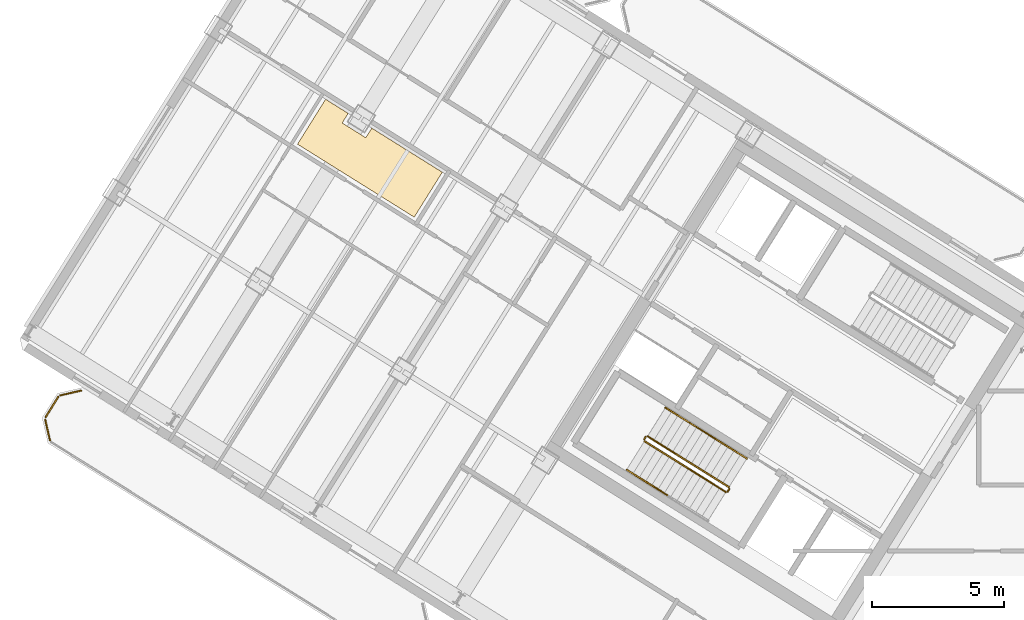
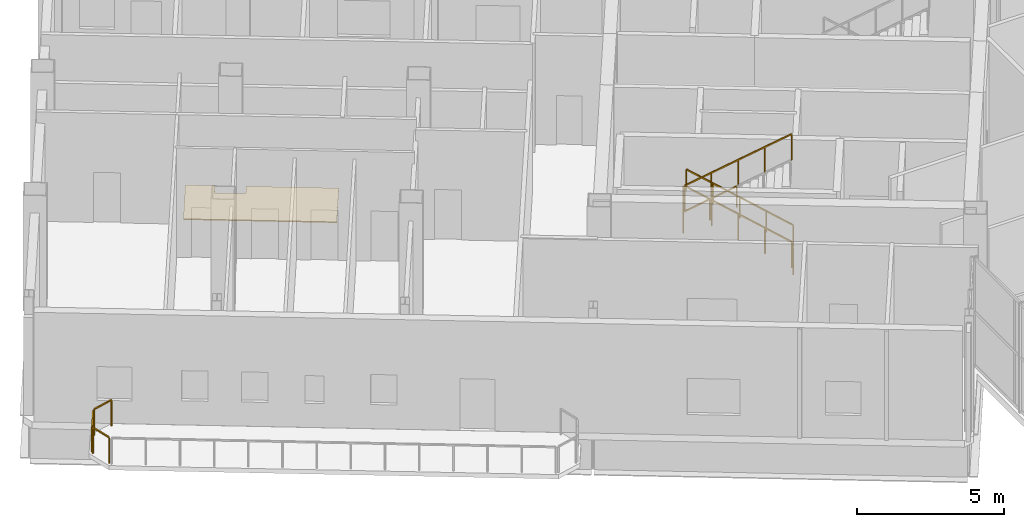
# One storey, part 23 of 26: 10 railings, 1 covering.
"""IFC4 building model written with IfcOpenShell, lengths in metres."""

from ifc_helpers import new_model, si_unit, direction, frame, origin, origin_2d, place, context, subcontext, project, spatial, polyline, rectangle, outline, extrude, source, transform, mapped, material, layer, layer_set, type_object, element, save


model = new_model("IFC4")

# Units and contexts
model_context = context("Model", 3, precision=1e-05, world=origin(), true_north=direction((0.0, 1.0)))
body_context = subcontext(model_context, "Body", "Model", "MODEL_VIEW")
ifc_project = project(units=[si_unit("LENGTHUNIT", "METRE"), si_unit("AREAUNIT", "SQUARE_METRE"), si_unit("VOLUMEUNIT", "CUBIC_METRE"), si_unit("PLANEANGLEUNIT", "RADIAN"), si_unit("MASSUNIT", "GRAM", prefix="KILO")], contexts=[model_context])

# Site, building, storey
site_placement = place(None, origin())
site = spatial("IfcSite", under=ifc_project, at=site_placement, CompositionType="ELEMENT")
building_placement = place(site_placement, origin())
building = spatial("IfcBuilding", under=site, at=building_placement, Name="Tlacorven Tower", CompositionType="ELEMENT")
storey_placement = place(building_placement, frame((0.0, 0.0, 233.699951171875)))
storey = spatial("IfcBuildingStorey", under=building, at=storey_placement, Name="L59", CompositionType="ELEMENT", Elevation=233.699951171875)

# Covering
ifc_material_1 = material(Name="Terrazzo and ceramic flooring")
ifc_layer = layer(ifc_material_1, 0.0400390625)
ifc_layer_set = layer_set([ifc_layer], Name="Terrazzo and ceramic flooring")
covering_type = type_object("IfcCoveringType", Name="CV-FLR-TERZ", PredefinedType="FLOORING", material=ifc_layer_set)
covering_placement = place(storey_placement, origin())
element("IfcCovering", 1, at=covering_placement, inside=storey, type_object=covering_type, Name="L59 Porcelain Wet-Room Floor Finish 6", PredefinedType="FLOORING", context=body_context, shape_type="SweptSolid", body=[
    extrude(outline(polyline([(17.21142578125, 28.101318359375), (12.780517578125, 30.870361328125), (13.845458984375, 32.574951171875), (14.703857421875, 32.03857421875), (14.47705078125, 31.675537109375), (15.37255859375, 31.115966796875), (15.599365234375, 31.47900390625), (18.276611328125, 29.805908203125), (17.21142578125, 28.101318359375)])), origin(), (0.0, 0.0, 1.0), 0.0400390625),
])

# Railings
ifc_material_2 = material(Name="Aluminium and painted steel balustrade", Category="steel")
railing_type_1 = type_object("IfcRailingType", Name="RL-BAL-1100", PredefinedType="BALUSTRADE", material=ifc_material_2)
shared_shape_1 = source(origin(), body_context, "Body", "SweptSolid", [
    extrude(rectangle(XDim=0.048095703125, YDim=0.048095703125, at=origin_2d()), frame((0.0, 0.0, 1.076171875), z_axis=(-0.225058334816, 0.974345290916, 0.0), x_axis=(-0.974345290916, -0.225058334816, 0.0)), (0.0, 0.0, 1.0), 0.80712890625),
    extrude(rectangle(XDim=0.0419921875, YDim=0.0419921875, at=origin_2d()), origin(), (0.0, 0.0, 1.0), 1.052001953125),
    extrude(rectangle(XDim=0.0419921875, YDim=0.0419921875, at=origin_2d()), frame((-0.181640625, 0.786376953125, 0.0)), (0.0, 0.0, 1.0), 1.052001953125),
])
railing_1_placement = place(storey_placement, frame((3.380859375, 19.62841796875, 0.0)))
element("IfcRailing", 2, at=railing_1_placement, inside=storey, type_object=railing_type_1, Name="BAL-L59-W-OUT Guard Railing 5", PredefinedType="BALUSTRADE", context=body_context, shape_type="MappedRepresentation", body=[
    mapped(shared_shape_1, transform((0.0, 0.0, 0.0), scale=1.0)),
])
shared_shape_2 = source(origin(), body_context, "Body", "SweptSolid", [
    extrude(rectangle(XDim=0.048095703125, YDim=0.048095703125, at=origin_2d()), frame((0.0, 0.0, 1.076171875), z_axis=(0.52987865805, 0.848073468364, 0.0), x_axis=(-0.848073468364, 0.52987865805, 0.0)), (0.0, 0.0, 1.0), 0.912353515625),
    extrude(rectangle(XDim=0.0419921875, YDim=0.0419921875, at=origin_2d()), origin(), (0.0, 0.0, 1.0), 1.052001953125),
    extrude(rectangle(XDim=0.0419921875, YDim=0.0419921875, at=origin_2d()), frame((0.4833984375, 0.773681640625, 0.0)), (0.0, 0.0, 1.0), 1.052001953125),
])
railing_2_placement = place(storey_placement, frame((3.214599609375, 20.505859375, 0.0)))
element("IfcRailing", 3, at=railing_2_placement, inside=storey, type_object=railing_type_1, Name="BAL-L59-W-OUT Guard Railing 6", PredefinedType="BALUSTRADE", context=body_context, shape_type="MappedRepresentation", body=[
    mapped(shared_shape_2, transform((0.0, 0.0, 0.0), scale=1.0)),
])
shared_shape_3 = source(origin(), body_context, "Body", "SweptSolid", [
    extrude(rectangle(XDim=0.048095703125, YDim=0.048095703125, at=origin_2d()), frame((0.0, 0.0, 1.076171875), z_axis=(0.974345290916, 0.225058334816, 0.0), x_axis=(-0.225058334816, 0.974345290916, 0.0)), (0.0, 0.0, 1.0), 0.80712890625),
    extrude(rectangle(XDim=0.0419921875, YDim=0.0419921875, at=origin_2d()), origin(), (0.0, 0.0, 1.0), 1.052001953125),
    extrude(rectangle(XDim=0.0419921875, YDim=0.0419921875, at=origin_2d()), frame((0.786376953125, 0.181640625, 0.0)), (0.0, 0.0, 1.0), 1.052001953125),
])
railing_3_placement = place(storey_placement, frame((3.773193359375, 21.3330078125, 0.0)))
element("IfcRailing", 4, at=railing_3_placement, inside=storey, type_object=railing_type_1, Name="BAL-L59-W-OUT Guard Railing 7", PredefinedType="BALUSTRADE", context=body_context, shape_type="MappedRepresentation", body=[
    mapped(shared_shape_3, transform((0.0, 0.0, 0.0), scale=1.0)),
])
railing_type_2 = type_object("IfcRailingType", Name="RL-GRD-1100", PredefinedType="GUARDRAIL", material=ifc_material_2)
shared_shape_4 = source(origin(), body_context, "Body", "SweptSolid", [
    extrude(rectangle(XDim=0.048095703125, YDim=0.048095703125, at=origin_2d()), frame((0.0, 0.0, 1.076171875), z_axis=(-0.529084052582, -0.848569422795, 0.0), x_axis=(0.848569422795, -0.529084052582, 0.0)), (0.0, 0.0, 1.0), 0.119873046875),
    extrude(rectangle(XDim=0.0419921875, YDim=0.0419921875, at=origin_2d()), origin(), (0.0, 0.0, 1.0), 1.052001953125),
    extrude(rectangle(XDim=0.0419921875, YDim=0.0419921875, at=origin_2d()), frame((-0.0634765625, -0.101806640625, 0.0)), (0.0, 0.0, 1.0), 1.052001953125),
])
for number, where, name in (
    (5, (26.0048828125, 19.764892578125, 2.400146484375), "L59 ST-W1 stair guard 2"),
    (6, (29.176513671875, 17.782958984375, 0.0), "L59 ST-W1 stair guard 4"),
):
    element("IfcRailing", number, at=place(storey_placement, frame(where)), inside=storey, type_object=railing_type_2, Name=name, PredefinedType="GUARDRAIL", context=body_context, shape_type="MappedRepresentation", body=[
        mapped(shared_shape_4, transform((0.0, 0.0, 0.0), scale=1.0)),
    ])
shared_shape_5 = source(origin(), body_context, "Body", "SweptSolid", [
    extrude(rectangle(XDim=0.048095703125, YDim=0.048095703125, at=origin_2d()), frame((0.0, 0.0, 1.076171875), z_axis=(0.723262235119, -0.451953093932, 0.522139962209), x_axis=(0.529926592015, 0.848043517206, 0.0)), (0.0, 0.0, 1.0), 4.26806640625),
    extrude(rectangle(XDim=0.0419921875, YDim=0.0419921875, at=origin_2d()), origin(), (0.0, 0.0, 1.0), 1.052001953125),
    extrude(rectangle(XDim=0.0419921875, YDim=0.0419921875, at=origin_2d()), frame((0.771728515625, -0.482177734375, 0.55712890625)), (0.0, 0.0, 1.0), 1.052001953125),
    extrude(rectangle(XDim=0.0419921875, YDim=0.0419921875, at=origin_2d()), frame((1.54345703125, -0.96435546875, 1.1142578125)), (0.0, 0.0, 1.0), 1.052001953125),
    extrude(rectangle(XDim=0.0419921875, YDim=0.0419921875, at=origin_2d()), frame((2.315185546875, -1.44677734375, 1.67138671875)), (0.0, 0.0, 1.0), 1.052001953125),
    extrude(rectangle(XDim=0.0419921875, YDim=0.0419921875, at=origin_2d()), frame((3.0869140625, -1.928955078125, 2.228515625)), (0.0, 0.0, 1.0), 1.052001953125),
])
railing_4_placement = place(storey_placement, frame((25.957275390625, 19.59423828125, 2.571533203125)))
element("IfcRailing", 7, at=railing_4_placement, inside=storey, type_object=railing_type_2, Name="L59 ST-W1 stair guard 3", PredefinedType="GUARDRAIL", context=body_context, shape_type="MappedRepresentation", body=[
    mapped(shared_shape_5, transform((0.0, 0.0, 0.0), scale=1.0)),
])
railing_type_3 = type_object("IfcRailingType", Name="RL-HND-0900", PredefinedType="HANDRAIL", material=ifc_material_2)
shared_shape_6 = source(origin(), body_context, "Body", "SweptSolid", [
    extrude(rectangle(XDim=0.048095703125, YDim=0.048095703125, at=origin_2d()), frame((0.0, 0.0, 0.8759765625), z_axis=(-0.723243536433, 0.451998610004, 0.522126463189), x_axis=(-0.529974825293, -0.848013375222, 0.0)), (0.0, 0.0, 1.0), 2.134033203125),
    extrude(rectangle(XDim=0.0419921875, YDim=0.0419921875, at=origin_2d()), origin(), (0.0, 0.0, 1.0), 0.851806640625),
    extrude(rectangle(XDim=0.0419921875, YDim=0.0419921875, at=origin_2d()), frame((-0.771728515625, 0.482421875, 0.55712890625)), (0.0, 0.0, 1.0), 0.851806640625),
    extrude(rectangle(XDim=0.0419921875, YDim=0.0419921875, at=origin_2d()), frame((-1.54345703125, 0.964599609375, 1.1142578125)), (0.0, 0.0, 1.0), 0.851806640625),
])
railing_5_placement = place(storey_placement, frame((29.839111328125, 18.937255859375, 0.17138671875)))
element("IfcRailing", 8, at=railing_5_placement, inside=storey, type_object=railing_type_3, Name="L59 ST-W1 stair handrail 1", PredefinedType="HANDRAIL", context=body_context, shape_type="MappedRepresentation", body=[
    mapped(shared_shape_6, transform((0.0, 0.0, 0.0), scale=1.0)),
])
shared_shape_7 = source(origin(), body_context, "Body", "SweptSolid", [
    extrude(rectangle(XDim=0.048095703125, YDim=0.048095703125, at=origin_2d()), frame((0.0, 0.0, 0.8759765625), z_axis=(0.723243536433, -0.451998610004, 0.522126463189), x_axis=(0.529974825293, 0.848013375222, 0.0)), (0.0, 0.0, 1.0), 2.134033203125),
    extrude(rectangle(XDim=0.0419921875, YDim=0.0419921875, at=origin_2d()), origin(), (0.0, 0.0, 1.0), 0.851806640625),
    extrude(rectangle(XDim=0.0419921875, YDim=0.0419921875, at=origin_2d()), frame((0.771728515625, -0.482421875, 0.55712890625)), (0.0, 0.0, 1.0), 0.851806640625),
    extrude(rectangle(XDim=0.0419921875, YDim=0.0419921875, at=origin_2d()), frame((1.54345703125, -0.964599609375, 1.1142578125)), (0.0, 0.0, 1.0), 0.851806640625),
])
railing_6_placement = place(storey_placement, frame((25.27880859375, 18.5087890625, 2.571533203125)))
element("IfcRailing", 9, at=railing_6_placement, inside=storey, type_object=railing_type_3, Name="L59 ST-W1 stair handrail 3", PredefinedType="HANDRAIL", context=body_context, shape_type="MappedRepresentation", body=[
    mapped(shared_shape_7, transform((0.0, 0.0, 0.0), scale=1.0)),
])
shared_shape_8 = source(origin(), body_context, "Body", "SweptSolid", [
    extrude(rectangle(XDim=0.048095703125, YDim=0.048095703125, at=origin_2d()), frame((0.0, 0.0, 1.076171875), z_axis=(-0.723240632901, 0.451939595108, 0.522181567364), x_axis=(-0.529926592015, -0.848043517206, 0.0)), (0.0, 0.0, 1.0), 4.26806640625),
    extrude(rectangle(XDim=0.0419921875, YDim=0.0419921875, at=origin_2d()), origin(), (0.0, 0.0, 1.0), 1.052001953125),
    extrude(rectangle(XDim=0.0419921875, YDim=0.0419921875, at=origin_2d()), frame((-0.771728515625, 0.482177734375, 0.55712890625)), (0.0, 0.0, 1.0), 1.052001953125),
    extrude(rectangle(XDim=0.0419921875, YDim=0.0419921875, at=origin_2d()), frame((-1.54345703125, 0.96435546875, 1.1142578125)), (0.0, 0.0, 1.0), 1.052001953125),
    extrude(rectangle(XDim=0.0419921875, YDim=0.0419921875, at=origin_2d()), frame((-2.315185546875, 1.44677734375, 1.671630859375)), (0.0, 0.0, 1.0), 1.052001953125),
    extrude(rectangle(XDim=0.0419921875, YDim=0.0419921875, at=origin_2d()), frame((-3.0869140625, 1.928955078125, 2.228759765625)), (0.0, 0.0, 1.0), 1.052001953125),
])
railing_7_placement = place(storey_placement, frame((29.16064453125, 17.851806640625, 0.17138671875)))
element("IfcRailing", 10, at=railing_7_placement, inside=storey, type_object=railing_type_2, Name="L59 ST-W1 stair guard 1", PredefinedType="GUARDRAIL", context=body_context, shape_type="MappedRepresentation", body=[
    mapped(shared_shape_8, transform((0.0, 0.0, 0.0), scale=1.0)),
])
shared_shape_9 = source(origin(), body_context, "Body", "SweptSolid", [
    extrude(rectangle(XDim=0.048095703125, YDim=0.048095703125, at=origin_2d()), frame((0.0, 0.0, 0.8759765625), z_axis=(-0.723237724671, 0.451880577736, 0.522236667688), x_axis=(-0.529878353595, -0.848073658589, 0.0)), (0.0, 0.0, 1.0), 2.134033203125),
    extrude(rectangle(XDim=0.0419921875, YDim=0.0419921875, at=origin_2d()), origin(), (0.0, 0.0, 1.0), 0.851806640625),
    extrude(rectangle(XDim=0.0419921875, YDim=0.0419921875, at=origin_2d()), frame((-0.771728515625, 0.482177734375, 0.55712890625)), (0.0, 0.0, 1.0), 0.851806640625),
    extrude(rectangle(XDim=0.0419921875, YDim=0.0419921875, at=origin_2d()), frame((-1.54345703125, 0.96435546875, 1.114501953125)), (0.0, 0.0, 1.0), 0.851806640625),
])
railing_8_placement = place(storey_placement, frame((28.295654296875, 19.90185546875, 1.28564453125)))
element("IfcRailing", 11, at=railing_8_placement, inside=storey, type_object=railing_type_3, Name="L59 ST-W1 stair handrail 2", PredefinedType="HANDRAIL", context=body_context, shape_type="MappedRepresentation", body=[
    mapped(shared_shape_9, transform((0.0, 0.0, 0.0), scale=1.0)),
])

save(model, "model.ifc")
